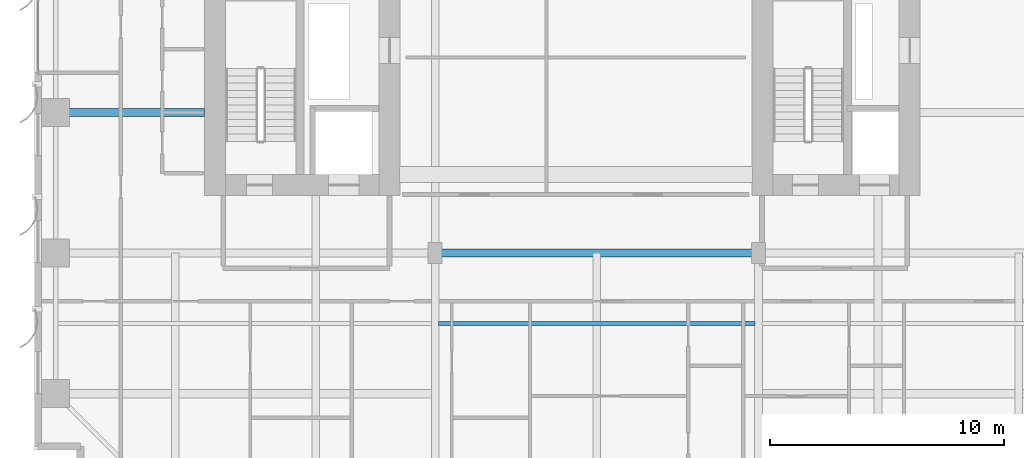
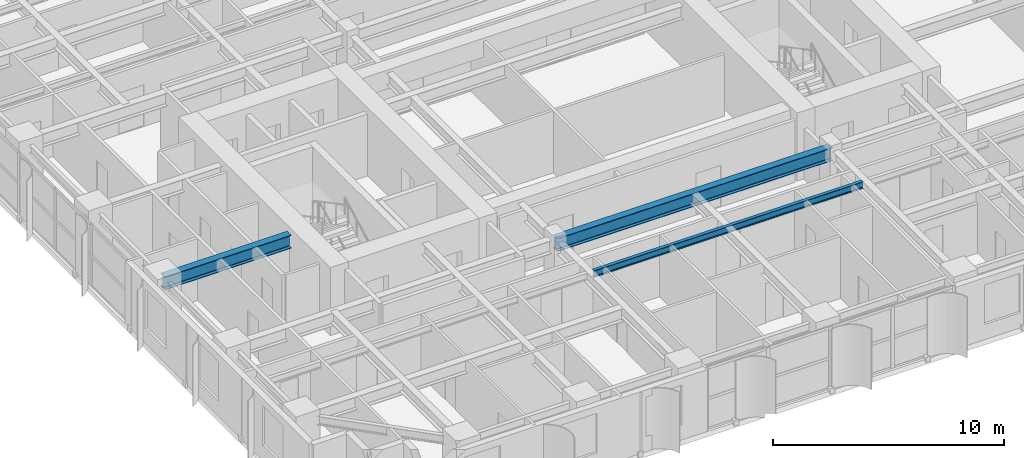
# One storey, part 4 of 23: 3 beams.
"""IFC4 building model written with IfcOpenShell, lengths in metres."""

import ifcopenshell
import ifcopenshell.guid

model = None  # the IFC model being written
_history = None  # IfcOwnerHistory: only IFC2X3 demands one
_inside = {}  # id of a spatial element -> (the spatial element, [elements in it])
_under = {}  # id of a project, library or spatial element -> (it, [spatial elements below it])
_declared = {}  # id of a project -> (the project, [libraries it declares])
_typed = {}  # id of a type object -> (the type object, [elements of that type])
_made_of = {}  # id of a material, layer set ... -> (it, [elements and type objects made of it])


def new_model(schema):
    """Start an empty IFC model of exactly this schema.

    Asked for "IFC4X3", IfcOpenShell would pick the latest addendum, in which some entities
    have other attributes; the version numbers below select the first issue.
    IFC2X3 requires an IfcOwnerHistory on every rooted entity: one is made here for all.
    """
    global model, _history
    if schema == "IFC4X3":
        model = ifcopenshell.file(schema_version=(4, 3, 0, 0))
    else:
        model = ifcopenshell.file(schema=schema)
    _inside.clear()
    _under.clear()
    _declared.clear()
    _typed.clear()
    _made_of.clear()
    _history = None
    if model.schema == "IFC2X3":
        org = make("IfcOrganization", Name="unknown")
        user = make(
            "IfcPersonAndOrganization",
            ThePerson=make("IfcPerson", FamilyName="unknown"),
            TheOrganization=org,
        )
        app = make(
            "IfcApplication",
            ApplicationDeveloper=org,
            Version="unknown",
            ApplicationFullName="unknown",
            ApplicationIdentifier="unknown",
        )
        _history = make(
            "IfcOwnerHistory",
            OwningUser=user,
            OwningApplication=app,
            ChangeAction="ADDED",
            CreationDate=0,
        )
    return model


def make(cls, **values):
    """One entity of the class cls with the attributes given. An attribute that is None is left unset."""
    return model.create_entity(
        cls, **{name: value for name, value in values.items() if value is not None}
    )


def rooted(cls, **values):
    """An entity with a GlobalId (a new one), such as an element, a storey or a relation."""
    return make(cls, GlobalId=ifcopenshell.guid.new(), OwnerHistory=_history, **values)


def si_unit(unit_type, name, prefix=None):
    """IfcSIUnit, for example si_unit("LENGTHUNIT", "METRE", prefix="MILLI")."""
    return make("IfcSIUnit", UnitType=unit_type, Prefix=prefix, Name=name)


def assignment(units):
    """IfcUnitAssignment: the units of a project."""
    return None if units is None else make("IfcUnitAssignment", Units=units)


def point(xyz):
    """IfcCartesianPoint."""
    return None if xyz is None else make("IfcCartesianPoint", Coordinates=xyz)


def direction(xyz):
    """IfcDirection."""
    return None if xyz is None else make("IfcDirection", DirectionRatios=xyz)


def frame(location, z_axis=None, x_axis=None):
    """IfcAxis2Placement3D, a coordinate frame: its origin and axes. An axis left out is left unset."""
    return make(
        "IfcAxis2Placement3D",
        Location=point(location),
        Axis=direction(z_axis),
        RefDirection=direction(x_axis),
    )


def frame_2d(location, x_axis=None):
    """IfcAxis2Placement2D, a coordinate frame in the plane: its origin and x axis."""
    return make(
        "IfcAxis2Placement2D", Location=point(location), RefDirection=direction(x_axis)
    )


def origin():
    """The frame at (0, 0, 0) with its axes left unset."""
    return frame((0.0, 0.0, 0.0))


def origin_2d():
    """The frame at (0, 0) in the plane with its x axis left unset."""
    return frame_2d((0.0, 0.0))


def place(relative_to, where):
    """IfcLocalPlacement: puts the frame where relative to a parent placement (None: the world)."""
    return make(
        "IfcLocalPlacement", PlacementRelTo=relative_to, RelativePlacement=where
    )


def context(
    kind, dimensions, precision=None, world=None, true_north=None, identifier=None
):
    """IfcGeometricRepresentationContext, for example the 3D "Model" context."""
    return make(
        "IfcGeometricRepresentationContext",
        ContextIdentifier=identifier,
        ContextType=kind,
        CoordinateSpaceDimension=dimensions,
        Precision=precision,
        WorldCoordinateSystem=world,
        TrueNorth=true_north,
    )


def subcontext(parent, identifier, kind, view, scale=None):
    """IfcGeometricRepresentationSubContext, for example "Body" below "Model"."""
    return make(
        "IfcGeometricRepresentationSubContext",
        ContextIdentifier=identifier,
        ContextType=kind,
        ParentContext=parent,
        TargetScale=scale,
        TargetView=view,
    )


def project(units=None, contexts=None):
    """IfcProject with its units and contexts."""
    return rooted(
        "IfcProject",
        Name="project",
        RepresentationContexts=contexts,
        UnitsInContext=assignment(units),
    )


def spatial(cls, under=None, at=None, **own):
    """A site, building, storey or space (cls), placed at a placement, below another one or the project."""
    s = rooted(cls, ObjectPlacement=at, **own)
    if under is not None:
        _under.setdefault(under.id(), (under, []))[1].append(s)
    return s


def profile(cls, at=None, kind="AREA", **sizes):
    """A parametric profile (cls). Its sizes go by their IFC names, for example OverallWidth=200.0."""
    return make(cls, ProfileType=kind, Position=at, **sizes)


def i_section(**sizes):
    """IfcIShapeProfileDef."""
    return profile("IfcIShapeProfileDef", **sizes)


def extrude(swept, where, along, depth):
    """IfcExtrudedAreaSolid: the profile swept, set in the frame where, extruded along a direction by depth."""
    return make(
        "IfcExtrudedAreaSolid",
        SweptArea=swept,
        Position=where,
        ExtrudedDirection=direction(along),
        Depth=depth,
    )


def shape(context_of_items, identifier, shape_type, items):
    """IfcShapeRepresentation: the items that make up one representation, for example the "Body"."""
    return make(
        "IfcShapeRepresentation",
        ContextOfItems=context_of_items,
        RepresentationIdentifier=identifier,
        RepresentationType=shape_type,
        Items=items,
    )


def source(mapping_origin, context_of_items, identifier, shape_type, items):
    """IfcRepresentationMap: a shape defined once, which mapped items show again and again."""
    return make(
        "IfcRepresentationMap",
        MappingOrigin=mapping_origin,
        MappedRepresentation=shape(context_of_items, identifier, shape_type, items),
    )


def transform(
    local_origin,
    x_axis=None,
    y_axis=None,
    z_axis=None,
    scale=None,
    scale2=None,
    scale3=None,
    uniform=True,
):
    """IfcCartesianTransformationOperator3D, or its non-uniform kind. x_axis, y_axis, z_axis: its Axis1, 2, 3."""
    if uniform:
        return make(
            "IfcCartesianTransformationOperator3D",
            Axis1=direction(x_axis),
            Axis2=direction(y_axis),
            LocalOrigin=point(local_origin),
            Scale=scale,
            Axis3=direction(z_axis),
        )
    return make(
        "IfcCartesianTransformationOperator3DnonUniform",
        Axis1=direction(x_axis),
        Axis2=direction(y_axis),
        LocalOrigin=point(local_origin),
        Scale=scale,
        Axis3=direction(z_axis),
        Scale2=scale2,
        Scale3=scale3,
    )


def mapped(mapping_source, mapping_target):
    """IfcMappedItem: shows the shape of a source again, moved by a transform."""
    return make(
        "IfcMappedItem", MappingSource=mapping_source, MappingTarget=mapping_target
    )


def material(Name=None, Category=None):
    """IfcMaterial."""
    return make("IfcMaterial", Name=Name, Category=Category)


def material_profile(
    of_material, cross_section, Name=None, Category=None, Priority=None
):
    """IfcMaterialProfile: a cross section and its material."""
    return make(
        "IfcMaterialProfile",
        Name=Name,
        Material=of_material,
        Profile=cross_section,
        Priority=Priority,
        Category=Category,
    )


def profile_set(profiles, Name=None, composite=None):
    """IfcMaterialProfileSet."""
    return make(
        "IfcMaterialProfileSet",
        Name=Name,
        MaterialProfiles=profiles,
        CompositeProfile=composite,
    )


def made_of(thing, what):
    """Note that an element or type object is made of a material, layer set ...; save() writes the relation."""
    if what is not None:
        _made_of.setdefault(what.id(), (what, []))[1].append(thing)
    return thing


def type_object(cls, material=None, **own):
    """A type object (cls), such as IfcWallType, which elements share."""
    return made_of(rooted(cls, **own), material)


def element(
    cls,
    number,
    at=None,
    inside=None,
    cuts=None,
    type_object=None,
    material=None,
    context=None,
    identifier="Body",
    shape_type=None,
    held_by="IfcProductDefinitionShape",
    body=None,
    shapes=None,
    **own,
):
    """One element of the class cls, such as IfcWall. Its Tag is "e" and its number.

    at: its placement. inside: the storey or other place that contains it. cuts: it is an
    opening in that element (IfcRelVoidsElement). A single representation is given by context,
    identifier, shape_type and body (its items); several are given by shapes. held_by: the class
    of the entity that holds the representations. save() writes the other relations.
    """
    e = rooted(cls, Tag="e%d" % number, ObjectPlacement=at, **own)
    if body is not None:
        shapes = [shape(context, identifier, shape_type, body)]
    if shapes is not None:
        e.Representation = make(held_by, Representations=shapes)
    if inside is not None:
        _inside.setdefault(inside.id(), (inside, []))[1].append(e)
    if cuts is not None:
        rooted(
            "IfcRelVoidsElement", RelatingBuildingElement=cuts, RelatedOpeningElement=e
        )
    if type_object is not None:
        _typed.setdefault(type_object.id(), (type_object, []))[1].append(e)
    return made_of(e, material)


def aggregate(whole, parts):
    """IfcRelAggregates: a whole, such as a stair, and the parts it consists of."""
    return rooted("IfcRelAggregates", RelatingObject=whole, RelatedObjects=parts)


def save(model, path):
    """Write the relations noted so far, then the file.

    IfcRelAggregates (storeys below a building ...), IfcRelContainedInSpatialStructure (elements
    in a storey), IfcRelDefinesByType, IfcRelAssociatesMaterial and IfcRelDeclares: one each for
    every whole, place, type object, material and project.
    """
    for whole, parts in _under.values():
        aggregate(whole, parts)
    for where, things in _inside.values():
        rooted(
            "IfcRelContainedInSpatialStructure",
            RelatedElements=things,
            RelatingStructure=where,
        )
    for kind, things in _typed.values():
        rooted("IfcRelDefinesByType", RelatedObjects=things, RelatingType=kind)
    for what, things in _made_of.values():
        rooted("IfcRelAssociatesMaterial", RelatedObjects=things, RelatingMaterial=what)
    for by, libraries in _declared.values():
        rooted("IfcRelDeclares", RelatingContext=by, RelatedDefinitions=libraries)
    model.write(path)


model = new_model("IFC4")

# Units and contexts
model_context = context("Model", 3, precision=1e-05, world=origin(), true_north=direction((0.0, 1.0)))
body_context = subcontext(model_context, "Body", "Model", "MODEL_VIEW")
ifc_project = project(units=[si_unit("LENGTHUNIT", "METRE"), si_unit("AREAUNIT", "SQUARE_METRE"), si_unit("VOLUMEUNIT", "CUBIC_METRE"), si_unit("PLANEANGLEUNIT", "RADIAN"), si_unit("MASSUNIT", "GRAM", prefix="KILO")], contexts=[model_context])

# Site, building, storey
site_placement = place(None, origin())
site = spatial("IfcSite", under=ifc_project, at=site_placement, CompositionType="ELEMENT")
building_placement = place(site_placement, origin())
building = spatial("IfcBuilding", under=site, at=building_placement, Name="Khoralis Quay Care Tower", CompositionType="ELEMENT")
storey_placement = place(building_placement, frame((0.0, 0.0, 72.89990234375)))
storey = spatial("IfcBuildingStorey", under=building, at=storey_placement, Name="L19", CompositionType="ELEMENT", Elevation=72.89990234375)

# Beams
ifc_material = material(Name="Steel S355", Category="steel")
ifc_material_profile_1 = material_profile(ifc_material, i_section(OverallWidth=0.35498046875, OverallDepth=0.695068359375, WebThickness=0.015380859375, FlangeThickness=0.02490234375, FilletRadius=0.02001953125, at=origin_2d()), Name="Steel S355")
ifc_profile_set_1 = profile_set([ifc_material_profile_1], Name="Steel S355")
beam_type_1 = type_object("IfcBeamType", Name="BM-W690X217", PredefinedType="BEAM", material=ifc_profile_set_1)
shared_shape_1 = source(origin(), body_context, "Body", "SweptSolid", [
    extrude(i_section(OverallWidth=0.35498046875, OverallDepth=0.695068359375, WebThickness=0.015380859375, FlangeThickness=0.02490234375, FilletRadius=0.02001953125, at=origin_2d()), origin(), (0.0, 0.0, 1.0), 6.35205078125),
])
beam_1_placement = place(storey_placement, frame((0.89990234375, 18.0, 2.9326171875), z_axis=(1.0, 0.0, 0.0), x_axis=(0.0, 1.0, 0.0)))
element("IfcBeam", 1, at=beam_1_placement, inside=storey, type_object=beam_type_1, Name="BM-TGXW-L19-180", PredefinedType="BEAM", context=body_context, shape_type="MappedRepresentation", body=[
    mapped(shared_shape_1, transform((0.0, 0.0, 0.0), scale=1.0)),
])
shared_shape_2 = source(origin(), body_context, "Body", "SweptSolid", [
    extrude(i_section(OverallWidth=0.35498046875, OverallDepth=0.695068359375, WebThickness=0.015380859375, FlangeThickness=0.02490234375, FilletRadius=0.02001953125, at=origin_2d()), origin(), (0.0, 0.0, 1.0), 13.7998046875),
])
beam_2_placement = place(storey_placement, frame((17.10009765625, 12.0, 2.9326171875), z_axis=(1.0, 0.0, 0.0), x_axis=(0.0, 1.0, 0.0)))
element("IfcBeam", 2, at=beam_2_placement, inside=storey, type_object=beam_type_1, Name="BM-TGCC-L19-120", PredefinedType="BEAM", context=body_context, shape_type="MappedRepresentation", body=[
    mapped(shared_shape_2, transform((0.0, 0.0, 0.0), scale=1.0)),
])
ifc_material_profile_2 = material_profile(ifc_material, i_section(OverallWidth=0.1708984375, OverallDepth=0.35498046875, WebThickness=0.007080078125, FlangeThickness=0.01171875, FilletRadius=0.012939453125, at=origin_2d()), Name="Steel S355")
ifc_profile_set_2 = profile_set([ifc_material_profile_2], Name="Steel S355")
beam_type_2 = type_object("IfcBeamType", Name="BM-W360X51", PredefinedType="JOIST", material=ifc_profile_set_2)
shared_shape_3 = source(origin(), body_context, "Body", "SweptSolid", [
    extrude(i_section(OverallWidth=0.1708984375, OverallDepth=0.35498046875, WebThickness=0.007080078125, FlangeThickness=0.01171875, FilletRadius=0.012939453125, at=origin_2d()), origin(), (0.0, 0.0, 1.0), 13.4990234375),
])
beam_3_placement = place(storey_placement, frame((17.25048828125, 9.0, 3.1025390625), z_axis=(1.0, 0.0, 0.0), x_axis=(0.0, 1.0, 0.0)))
element("IfcBeam", 3, at=beam_3_placement, inside=storey, type_object=beam_type_2, Name="BM-TJS-L19-31", PredefinedType="JOIST", context=body_context, shape_type="MappedRepresentation", body=[
    mapped(shared_shape_3, transform((0.0, 0.0, 0.0), scale=1.0)),
])

save(model, "model.ifc")
